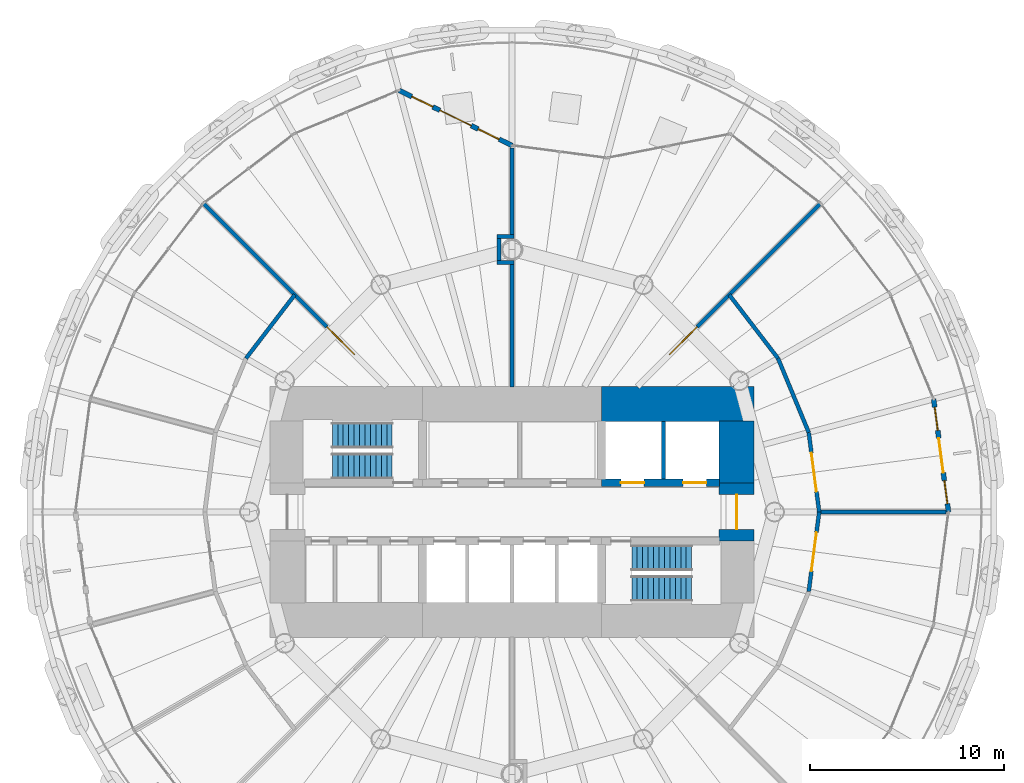
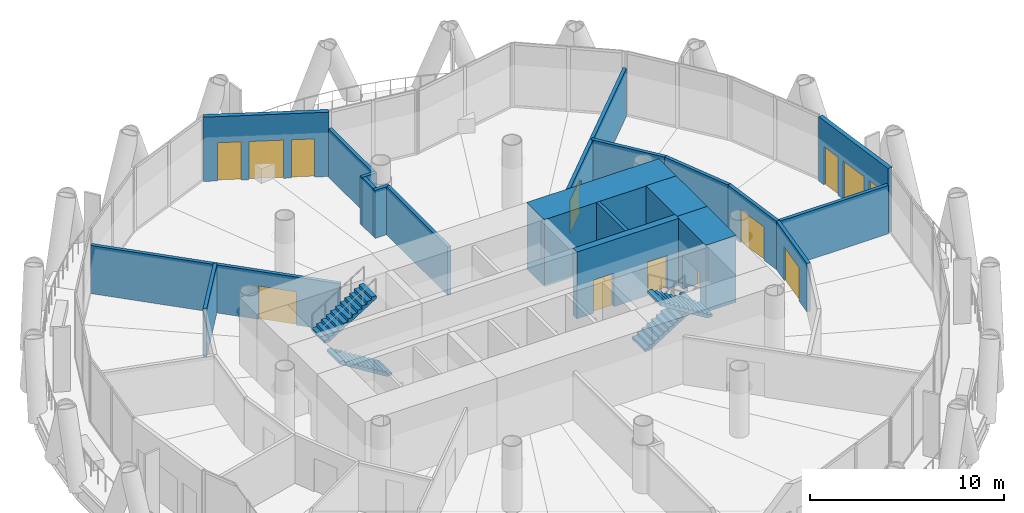
# One storey, part 11 of 15: 20 walls, 9 doors, 4 stair flights, 4 windows, 13 openings, 2 elements without a shape of their own.
"""IFC4 building model written with IfcOpenShell, lengths in metres."""

from ifc_helpers import new_model, si_unit, direction, frame, frame_2d, origin, place, context, subcontext, project, spatial, polyline, rectangle, outline, extrude, material, layer, layer_set, type_object, element, fill, aggregate, save


model = new_model("IFC4")

# Units and contexts
model_context = context("Model", 3, precision=1e-05, world=origin(), true_north=direction((0.0, 1.0)))
body_context = subcontext(model_context, "Body", "Model", "MODEL_VIEW")
ifc_project = project(units=[si_unit("LENGTHUNIT", "METRE"), si_unit("AREAUNIT", "SQUARE_METRE"), si_unit("VOLUMEUNIT", "CUBIC_METRE"), si_unit("PLANEANGLEUNIT", "RADIAN"), si_unit("MASSUNIT", "GRAM", prefix="KILO")], contexts=[model_context])

# Site, building, storey
site_placement = place(None, origin())
site = spatial("IfcSite", under=ifc_project, at=site_placement, CompositionType="ELEMENT")
building_placement = place(site_placement, origin())
building = spatial("IfcBuilding", under=site, at=building_placement, Name="Qaws Media Tower", CompositionType="ELEMENT")
storey_placement = place(building_placement, frame((0.0, 0.0, 147.800048828125)))
storey = spatial("IfcBuildingStorey", under=building, at=storey_placement, Name="L33", CompositionType="ELEMENT", Elevation=147.800048828125)

# Wall, openings, door, windows
ifc_material_1 = material(Name="Precast concrete, exposed finish", Category="concrete")
ifc_layer_1 = layer(ifc_material_1, 0.25)
ifc_layer_set_1 = layer_set([ifc_layer_1], Name="Balcony door wall 250")
wall_type_1 = type_object("IfcWallType", Name="Balcony door wall 250", PredefinedType="SOLIDWALL", material=ifc_layer_set_1)
wall_1_placement = place(storey_placement, frame((82.449951171875, 50.0, 0.0), z_axis=(0.0, 0.0, 1.0), x_axis=(-0.130512702292, 0.991446637263, 0.0)))
wall_1 = element("IfcWall", 1, at=wall_1_placement, inside=storey, type_object=wall_type_1, Name="W197 EW1 balcony door wall L33-01", PredefinedType="SOLIDWALL", context=body_context, shape_type="SweptSolid", body=[
    extrude(rectangle(XDim=5.860595703125, YDim=0.25, at=frame_2d((2.93017578125, 0.0))), origin(), (0.0, 0.0, 1.0), 4.0400390625),
])
opening_1_placement = place(wall_1_placement, frame((2.0302734375, 0.0, 0.0)))
opening_1 = element("IfcOpeningElement", 2, at=opening_1_placement, cuts=wall_1, Name="Opening D7", PredefinedType="OPENING", context=body_context, shape_type="SweptSolid", body=[
    extrude(rectangle(XDim=1.800048828125, YDim=2.39990234375, at=frame_2d((0.89990234375, 1.199951171875))), frame((0.0, 0.135009765625, 0.0), z_axis=(0.0, -1.0, 0.0), x_axis=(1.0, 0.0, 0.0)), (0.0, 0.0, 1.0), 0.27001953125),
])
opening_2_placement = place(wall_1_placement, frame((0.430419921875, 0.0, 0.0)))
opening_2 = element("IfcOpeningElement", 3, at=opening_2_placement, cuts=wall_1, Name="Opening W1", PredefinedType="OPENING", context=body_context, shape_type="SweptSolid", body=[
    extrude(rectangle(XDim=1.199951171875, YDim=2.39990234375, at=frame_2d((0.60009765625, 1.199951171875))), frame((0.0, 0.135009765625, 0.0), z_axis=(0.0, -1.0, 0.0), x_axis=(1.0, 0.0, 0.0)), (0.0, 0.0, 1.0), 0.27001953125),
])
opening_3_placement = place(wall_1_placement, frame((4.230224609375, 0.0, 0.0)))
opening_3 = element("IfcOpeningElement", 4, at=opening_3_placement, cuts=wall_1, Name="Opening W1", PredefinedType="OPENING", context=body_context, shape_type="SweptSolid", body=[
    extrude(rectangle(XDim=1.199951171875, YDim=2.39990234375, at=frame_2d((0.60009765625, 1.199951171875))), frame((0.0, 0.135009765625, 0.0), z_axis=(0.0, -1.0, 0.0), x_axis=(1.0, 0.0, 0.0)), (0.0, 0.0, 1.0), 0.27001953125),
])
ifc_material_2 = material(Name="Aluminium and clear glass", Category="aluminium")
door_type_1 = type_object("IfcDoorType", Name="Balcony door pair 1800", OperationType="DOUBLE_DOOR_SLIDING", PredefinedType="DOOR", material=ifc_material_2)
door_1_placement = place(opening_1_placement, origin())
door_1 = element("IfcDoor", 5, at=door_1_placement, inside=storey, type_object=door_type_1, Name="D7 balcony door L33-01 in wall W197", OperationType="DOUBLE_DOOR_SLIDING", OverallHeight=2.39990234375, OverallWidth=1.800048828125, PredefinedType="DOOR", context=body_context, shape_type="SweptSolid", body=[
    extrude(rectangle(XDim=1.800048828125, YDim=2.39990234375, at=frame_2d((0.89990234375, 1.199951171875))), frame((0.0, 0.02490234375, 0.0), z_axis=(0.0, -1.0, 0.0), x_axis=(1.0, 0.0, 0.0)), (0.0, 0.0, 1.0), 0.050048828125),
])
fill(opening_1, door_1)
ifc_material_3 = material(Name="Aluminium and clear glass", Category="aluminium")
window_type = type_object("IfcWindowType", Name="Balcony side window 1200", PartitioningType="SINGLE_PANEL", PredefinedType="WINDOW", material=ifc_material_3)
window_1_placement = place(opening_2_placement, origin())
window_1 = element("IfcWindow", 6, at=window_1_placement, inside=storey, type_object=window_type, Name="W1 balcony side light L33-01L", OverallHeight=2.39990234375, OverallWidth=1.199951171875, PartitioningType="SINGLE_PANEL", PredefinedType="WINDOW", context=body_context, shape_type="SweptSolid", body=[
    extrude(rectangle(XDim=1.199951171875, YDim=2.39990234375, at=frame_2d((0.60009765625, 1.199951171875))), frame((0.0, 0.030029296875, 0.0), z_axis=(0.0, -1.0, 0.0), x_axis=(1.0, 0.0, 0.0)), (0.0, 0.0, 1.0), 0.06005859375),
])
fill(opening_2, window_1)
window_2_placement = place(opening_3_placement, origin())
window_2 = element("IfcWindow", 7, at=window_2_placement, inside=storey, type_object=window_type, Name="W1 balcony side light L33-01R", OverallHeight=2.39990234375, OverallWidth=1.199951171875, PartitioningType="SINGLE_PANEL", PredefinedType="WINDOW", context=body_context, shape_type="SweptSolid", body=[
    extrude(rectangle(XDim=1.199951171875, YDim=2.39990234375, at=frame_2d((0.60009765625, 1.199951171875))), frame((0.0, 0.030029296875, 0.0), z_axis=(0.0, -1.0, 0.0), x_axis=(1.0, 0.0, 0.0)), (0.0, 0.0, 1.0), 0.06005859375),
])
fill(opening_3, window_2)

wall_2_placement = place(storey_placement, frame((60.0, 68.85009765625, 0.0), z_axis=(0.0, 0.0, 1.0), x_axis=(-0.898735054264, 0.438492077736, 0.0)))
wall_2 = element("IfcWall", 8, at=wall_2_placement, inside=storey, type_object=wall_type_1, Name="W196 EW1 balcony door wall L33-07", PredefinedType="SOLIDWALL", context=body_context, shape_type="SweptSolid", body=[
    extrude(rectangle(XDim=6.46533203125, YDim=0.25, at=frame_2d((3.232666015625, 0.0))), origin(), (0.0, 0.0, 1.0), 4.0400390625),
])
opening_4_placement = place(wall_2_placement, frame((2.33251953125, 0.0, 0.0)))
opening_4 = element("IfcOpeningElement", 9, at=opening_4_placement, cuts=wall_2, Name="Opening D7", PredefinedType="OPENING", context=body_context, shape_type="SweptSolid", body=[
    extrude(rectangle(XDim=1.800048828125, YDim=2.39990234375, at=frame_2d((0.89990234375, 1.199951171875))), frame((0.0, 0.135009765625, 0.0), z_axis=(0.0, -1.0, 0.0), x_axis=(1.0, 0.0, 0.0)), (0.0, 0.0, 1.0), 0.27001953125),
])
opening_5_placement = place(wall_2_placement, frame((0.732666015625, 0.0, 0.0)))
opening_5 = element("IfcOpeningElement", 10, at=opening_5_placement, cuts=wall_2, Name="Opening W1", PredefinedType="OPENING", context=body_context, shape_type="SweptSolid", body=[
    extrude(rectangle(XDim=1.199951171875, YDim=2.39990234375, at=frame_2d((0.60009765625, 1.199951171875))), frame((0.0, 0.135009765625, 0.0), z_axis=(0.0, -1.0, 0.0), x_axis=(1.0, 0.0, 0.0)), (0.0, 0.0, 1.0), 0.27001953125),
])
opening_6_placement = place(wall_2_placement, frame((4.53271484375, 0.0, 0.0)))
opening_6 = element("IfcOpeningElement", 11, at=opening_6_placement, cuts=wall_2, Name="Opening W1", PredefinedType="OPENING", context=body_context, shape_type="SweptSolid", body=[
    extrude(rectangle(XDim=1.199951171875, YDim=2.39990234375, at=frame_2d((0.60009765625, 1.199951171875))), frame((0.0, 0.135009765625, 0.0), z_axis=(0.0, -1.0, 0.0), x_axis=(1.0, 0.0, 0.0)), (0.0, 0.0, 1.0), 0.27001953125),
])
door_2_placement = place(opening_4_placement, origin())
door_2 = element("IfcDoor", 12, at=door_2_placement, inside=storey, type_object=door_type_1, Name="D7 balcony door L33-07 in wall W196", OperationType="DOUBLE_DOOR_SLIDING", OverallHeight=2.39990234375, OverallWidth=1.800048828125, PredefinedType="DOOR", context=body_context, shape_type="SweptSolid", body=[
    extrude(rectangle(XDim=1.800048828125, YDim=2.39990234375, at=frame_2d((0.89990234375, 1.199951171875))), frame((0.0, 0.02490234375, 0.0), z_axis=(0.0, -1.0, 0.0), x_axis=(1.0, 0.0, 0.0)), (0.0, 0.0, 1.0), 0.050048828125),
])
fill(opening_4, door_2)
window_3_placement = place(opening_5_placement, origin())
window_3 = element("IfcWindow", 13, at=window_3_placement, inside=storey, type_object=window_type, Name="W1 balcony side light L33-07L", OverallHeight=2.39990234375, OverallWidth=1.199951171875, PartitioningType="SINGLE_PANEL", PredefinedType="WINDOW", context=body_context, shape_type="SweptSolid", body=[
    extrude(rectangle(XDim=1.199951171875, YDim=2.39990234375, at=frame_2d((0.60009765625, 1.199951171875))), frame((0.0, 0.030029296875, 0.0), z_axis=(0.0, -1.0, 0.0), x_axis=(1.0, 0.0, 0.0)), (0.0, 0.0, 1.0), 0.06005859375),
])
fill(opening_5, window_3)
window_4_placement = place(opening_6_placement, origin())
window_4 = element("IfcWindow", 14, at=window_4_placement, inside=storey, type_object=window_type, Name="W1 balcony side light L33-07R", OverallHeight=2.39990234375, OverallWidth=1.199951171875, PartitioningType="SINGLE_PANEL", PredefinedType="WINDOW", context=body_context, shape_type="SweptSolid", body=[
    extrude(rectangle(XDim=1.199951171875, YDim=2.39990234375, at=frame_2d((0.60009765625, 1.199951171875))), frame((0.0, 0.030029296875, 0.0), z_axis=(0.0, -1.0, 0.0), x_axis=(1.0, 0.0, 0.0)), (0.0, 0.0, 1.0), 0.06005859375),
])
fill(opening_6, window_4)

# Wall, openings, doors
ifc_material_4 = material(Name="Concrete C60/75", Category="concrete")
ifc_layer_2 = layer(ifc_material_4, 0.39990234375)
ifc_layer_set_2 = layer_set([ifc_layer_2], Name="Core inner wall 400")
wall_type_2 = type_object("IfcWallType", Name="Core inner wall 400", PredefinedType="SHEAR", material=ifc_layer_set_2)
wall_3_placement = place(storey_placement, frame((64.60009765625, 51.5, 0.0), z_axis=(0.0, 0.0, 1.0), x_axis=(1.0, 0.0, 0.0)))
wall_3 = element("IfcWall", 15, at=wall_3_placement, inside=storey, type_object=wall_type_2, Name="W326 SW4 core wall SPNE L33", PredefinedType="SHEAR", context=body_context, shape_type="SweptSolid", body=[
    extrude(rectangle(XDim=6.06982421875, YDim=0.39990234375, at=frame_2d((3.034912109375, 0.0))), origin(), (0.0, 0.0, 1.0), 4.199951171875),
])
opening_7_placement = place(wall_3_placement, frame((1.0, 0.0, 0.0)))
opening_7 = element("IfcOpeningElement", 16, at=opening_7_placement, cuts=wall_3, Name="Opening LD2", PredefinedType="OPENING", context=body_context, shape_type="SweptSolid", body=[
    extrude(rectangle(XDim=1.199951171875, YDim=2.10009765625, at=frame_2d((0.60009765625, 1.050048828125))), frame((0.0, 0.2099609375, 0.0), z_axis=(0.0, -1.0, 0.0), x_axis=(1.0, 0.0, 0.0)), (0.0, 0.0, 1.0), 0.419921875),
])
opening_8_placement = place(wall_3_placement, frame((4.199951171875, 0.0, 0.0)))
opening_8 = element("IfcOpeningElement", 17, at=opening_8_placement, cuts=wall_3, Name="Opening LD2", PredefinedType="OPENING", context=body_context, shape_type="SweptSolid", body=[
    extrude(rectangle(XDim=1.199951171875, YDim=2.10009765625, at=frame_2d((0.60009765625, 1.050048828125))), frame((0.0, 0.2099609375, 0.0), z_axis=(0.0, -1.0, 0.0), x_axis=(1.0, 0.0, 0.0)), (0.0, 0.0, 1.0), 0.419921875),
])
ifc_material_5 = material(Name="Steel, fire rated", Category="steel")
door_type_2 = type_object("IfcDoorType", Name="Lift landing door 1200", OperationType="SLIDING_TO_LEFT", PredefinedType="DOOR", material=ifc_material_5)
door_3_placement = place(opening_7_placement, origin())
door_3 = element("IfcDoor", 18, at=door_3_placement, inside=storey, type_object=door_type_2, Name="FL1 landing door L33 in wall W326", OperationType="SLIDING_TO_LEFT", OverallHeight=2.10009765625, OverallWidth=1.199951171875, PredefinedType="DOOR", context=body_context, shape_type="SweptSolid", body=[
    extrude(rectangle(XDim=1.199951171875, YDim=2.10009765625, at=frame_2d((0.60009765625, 1.050048828125))), frame((0.0, 0.02490234375, 0.0), z_axis=(0.0, -1.0, 0.0), x_axis=(1.0, 0.0, 0.0)), (0.0, 0.0, 1.0), 0.050048828125),
])
fill(opening_7, door_3)
door_4_placement = place(opening_8_placement, origin())
door_4 = element("IfcDoor", 19, at=door_4_placement, inside=storey, type_object=door_type_2, Name="FL2 landing door L33 in wall W326", OperationType="SLIDING_TO_LEFT", OverallHeight=2.10009765625, OverallWidth=1.199951171875, PredefinedType="DOOR", context=body_context, shape_type="SweptSolid", body=[
    extrude(rectangle(XDim=1.199951171875, YDim=2.10009765625, at=frame_2d((0.60009765625, 1.050048828125))), frame((0.0, 0.02490234375, 0.0), z_axis=(0.0, -1.0, 0.0), x_axis=(1.0, 0.0, 0.0)), (0.0, 0.0, 1.0), 0.050048828125),
])
fill(opening_8, door_4)

# Wall
ifc_material_6 = material(Name="Concrete C60/75", Category="concrete")
ifc_layer_3 = layer(ifc_material_6, 1.800048828125)
ifc_layer_set_3 = layer_set([ifc_layer_3], Name="Core wall 1800")
wall_type_3 = type_object("IfcWallType", Name="Core wall 1800", PredefinedType="SHEAR", material=ifc_layer_set_3)
wall_4_placement = place(storey_placement, frame((64.60009765625, 55.550048828125, 0.0), z_axis=(0.0, 0.0, 1.0), x_axis=(1.0, 0.0, 0.0)))
element("IfcWall", 20, at=wall_4_placement, inside=storey, type_object=wall_type_3, Name="W423 SW11 core wall NE L33", PredefinedType="SHEAR", context=body_context, shape_type="SweptSolid", body=[
    extrude(rectangle(XDim=7.849853515625, YDim=1.800048828125, at=frame_2d((3.9248046875, 0.0))), origin(), (0.0, 0.0, 1.0), 4.199951171875),
])

# Wall, opening, door
wall_5_placement = place(storey_placement, frame((71.550048828125, 48.5, 0.0), z_axis=(0.0, 0.0, 1.0), x_axis=(0.0, 1.0, 0.0)))
wall_5 = element("IfcWall", 21, at=wall_5_placement, inside=storey, type_object=wall_type_3, Name="W427 SW11 core wall E L33", PredefinedType="SHEAR", context=body_context, shape_type="SweptSolid", body=[
    extrude(rectangle(XDim=3.0, YDim=1.800048828125, at=frame_2d((1.5, 0.0))), origin(), (0.0, 0.0, 1.0), 4.199951171875),
])
opening_9_placement = place(wall_5_placement, frame((0.60009765625, 0.0, 0.0)))
opening_9 = element("IfcOpeningElement", 22, at=opening_9_placement, cuts=wall_5, Name="Opening D2", PredefinedType="OPENING", context=body_context, shape_type="SweptSolid", body=[
    extrude(rectangle(XDim=1.800048828125, YDim=2.10009765625, at=frame_2d((0.89990234375, 1.050048828125))), frame((0.0, 0.909912109375, 0.0), z_axis=(0.0, -1.0, 0.0), x_axis=(1.0, 0.0, 0.0)), (0.0, 0.0, 1.0), 1.820068359375),
])
ifc_material_7 = material(Name="Steel and glass, fire rated", Category="steel")
door_type_3 = type_object("IfcDoorType", Name="Lobby door pair 1800 FD60", OperationType="DOUBLE_DOOR_DOUBLE_SWING", PredefinedType="DOOR", material=ifc_material_7)
door_5_placement = place(opening_9_placement, origin())
door_5 = element("IfcDoor", 23, at=door_5_placement, inside=storey, type_object=door_type_3, Name="D2 core lobby door E L33 in wall W427", OperationType="DOUBLE_DOOR_DOUBLE_SWING", OverallHeight=2.10009765625, OverallWidth=1.800048828125, PredefinedType="DOOR", context=body_context, shape_type="SweptSolid", body=[
    extrude(rectangle(XDim=1.800048828125, YDim=2.10009765625, at=frame_2d((0.89990234375, 1.050048828125))), frame((0.0, 0.02490234375, 0.0), z_axis=(0.0, -1.0, 0.0), x_axis=(1.0, 0.0, 0.0)), (0.0, 0.0, 1.0), 0.050048828125),
])
fill(opening_9, door_5)

# Walls
wall_6_placement = place(storey_placement, frame((71.550048828125, 51.5, 0.0), z_axis=(0.0, 0.0, 1.0), x_axis=(0.0, 1.0, 0.0)))
element("IfcWall", 24, at=wall_6_placement, inside=storey, type_object=wall_type_3, Name="W425 SW11 core wall EN L33", PredefinedType="SHEAR", context=body_context, shape_type="SweptSolid", body=[
    extrude(rectangle(XDim=3.169921875, YDim=1.800048828125, at=frame_2d((1.5849609375, 0.0))), origin(), (0.0, 0.0, 1.0), 4.199951171875),
])
ifc_material_8 = material(Name="Gypsum board on galvanised metal studs, acoustic double stud, deflection head", Category="gypsum")
ifc_layer_4 = layer(ifc_material_8, 0.199951171875)
ifc_layer_set_4 = layer_set([ifc_layer_4], Name="Room partition 200")
wall_type_4 = type_object("IfcWallType", Name="Room partition 200", PredefinedType="PARTITIONING", material=ifc_layer_set_4)
for number, where, z_axis, x_axis, name in (
    (25, (46.31689453125, 57.89990234375, 0.0), (0.0, 0.0, 1.0), (0.608714823874, 0.793389099494, 0.0), "W947 IW3 partition L33"),
    (26, (71.17236328125, 61.17236328125, 0.0), (0.0, 0.0, 1.0), (0.608714823874, -0.793389099494, 0.0), "W953 IW3 partition L33"),
):
    element("IfcWall", number, at=place(storey_placement, frame(where, z_axis=z_axis, x_axis=x_axis)), inside=storey, type_object=wall_type_4, Name=name, PredefinedType="PARTITIONING", context=body_context, shape_type="SweptSolid", body=[
        extrude(rectangle(XDim=4.124755859375, YDim=0.199951171875, at=frame_2d((2.0625, 0.0))), origin(), (0.0, 0.0, 1.0), 3.0400390625),
    ])
wall_7_placement = place(storey_placement, frame((73.68310546875, 57.89990234375, 0.0), z_axis=(0.0, 0.0, 1.0), x_axis=(0.382731667114, -0.923859551549, 0.0)))
element("IfcWall", 27, at=wall_7_placement, inside=storey, type_object=wall_type_4, Name="W956 IW3 partition L33", PredefinedType="PARTITIONING", context=body_context, shape_type="SweptSolid", body=[
    extrude(rectangle(XDim=4.12451171875, YDim=0.199951171875, at=frame_2d((2.062255859375, 0.0))), origin(), (0.0, 0.0, 1.0), 3.0400390625),
])

# Wall, opening, door
wall_8_placement = place(storey_placement, frame((75.26171875, 54.08935546875, 0.0), z_axis=(0.0, 0.0, 1.0), x_axis=(0.130515758099, -0.991446234996, 0.0)))
wall_8 = element("IfcWall", 28, at=wall_8_placement, inside=storey, type_object=wall_type_4, Name="W958 IW3 partition L33", PredefinedType="PARTITIONING", context=body_context, shape_type="SweptSolid", body=[
    extrude(rectangle(XDim=4.124755859375, YDim=0.199951171875, at=frame_2d((2.0625, 0.0))), origin(), (0.0, 0.0, 1.0), 3.0400390625),
])
opening_10_placement = place(wall_8_placement, frame((1.062255859375, 0.0, 0.0)))
opening_10 = element("IfcOpeningElement", 29, at=opening_10_placement, cuts=wall_8, Name="Opening D6", PredefinedType="OPENING", context=body_context, shape_type="SweptSolid", body=[
    extrude(rectangle(XDim=2.0, YDim=2.10009765625, at=frame_2d((1.0, 1.050048828125))), frame((0.0, 0.10986328125, 0.0), z_axis=(0.0, -1.0, 0.0), x_axis=(1.0, 0.0, 0.0)), (0.0, 0.0, 1.0), 0.219970703125),
])
ifc_material_9 = material(Name="Steel, acoustic, fire rated", Category="steel")
door_type_4 = type_object("IfcDoorType", Name="Room door pair 2000", OperationType="DOUBLE_DOOR_DOUBLE_SWING", PredefinedType="DOOR", material=ifc_material_9)
door_6_placement = place(opening_10_placement, origin())
door_6 = element("IfcDoor", 30, at=door_6_placement, inside=storey, type_object=door_type_4, Name="D6 IT office door L33 in wall W958", OperationType="DOUBLE_DOOR_DOUBLE_SWING", OverallHeight=2.10009765625, OverallWidth=2.0, PredefinedType="DOOR", context=body_context, shape_type="SweptSolid", body=[
    extrude(rectangle(XDim=2.0, YDim=2.10009765625, at=frame_2d((1.0, 1.050048828125))), frame((0.0, 0.02490234375, 0.0), z_axis=(0.0, -1.0, 0.0), x_axis=(1.0, 0.0, 0.0)), (0.0, 0.0, 1.0), 0.050048828125),
])
fill(opening_10, door_6)

wall_9_placement = place(storey_placement, frame((75.800048828125, 50.0, 0.0), z_axis=(0.0, 0.0, 1.0), x_axis=(-0.130515758099, -0.991446234996, 0.0)))
wall_9 = element("IfcWall", 31, at=wall_9_placement, inside=storey, type_object=wall_type_4, Name="W959 IW3 partition L33", PredefinedType="PARTITIONING", context=body_context, shape_type="SweptSolid", body=[
    extrude(rectangle(XDim=4.124755859375, YDim=0.199951171875, at=frame_2d((2.0625, 0.0))), origin(), (0.0, 0.0, 1.0), 3.0400390625),
])
opening_11_placement = place(wall_9_placement, frame((1.062255859375, 0.0, 0.0)))
opening_11 = element("IfcOpeningElement", 32, at=opening_11_placement, cuts=wall_9, Name="Opening D6", PredefinedType="OPENING", context=body_context, shape_type="SweptSolid", body=[
    extrude(rectangle(XDim=2.0, YDim=2.10009765625, at=frame_2d((1.0, 1.050048828125))), frame((0.0, 0.10986328125, 0.0), z_axis=(0.0, -1.0, 0.0), x_axis=(1.0, 0.0, 0.0)), (0.0, 0.0, 1.0), 0.219970703125),
])
door_7_placement = place(opening_11_placement, origin())
door_7 = element("IfcDoor", 33, at=door_7_placement, inside=storey, type_object=door_type_4, Name="D6 IT service office door L33 in wall W959", OperationType="DOUBLE_DOOR_DOUBLE_SWING", OverallHeight=2.10009765625, OverallWidth=2.0, PredefinedType="DOOR", context=body_context, shape_type="SweptSolid", body=[
    extrude(rectangle(XDim=2.0, YDim=2.10009765625, at=frame_2d((1.0, 1.050048828125))), frame((0.0, 0.02490234375, 0.0), z_axis=(0.0, -1.0, 0.0), x_axis=(1.0, 0.0, 0.0)), (0.0, 0.0, 1.0), 0.050048828125),
])
fill(opening_11, door_7)

# Wall
wall_10_placement = place(storey_placement, frame((75.800048828125, 50.0, 0.0), z_axis=(0.0, 0.0, 1.0), x_axis=(1.0, 0.0, 0.0)))
element("IfcWall", 34, at=wall_10_placement, inside=storey, type_object=wall_type_4, Name="W1325 IW3 partition L33", PredefinedType="PARTITIONING", context=body_context, shape_type="SweptSolid", body=[
    extrude(rectangle(XDim=6.510009765625, YDim=0.199951171875, at=frame_2d((3.2548828125, 0.0))), origin(), (0.0, 0.0, 1.0), 3.0400390625),
])

# Wall, opening, door
wall_11_placement = place(storey_placement, frame((66.449951171875, 56.449951171875, 0.0), z_axis=(0.0, 0.0, 1.0), x_axis=(0.707106781187, 0.707106781187, 0.0)))
wall_11 = element("IfcWall", 35, at=wall_11_placement, inside=storey, type_object=wall_type_4, Name="W1324 IW3 partition L33", PredefinedType="PARTITIONING", context=body_context, shape_type="SweptSolid", body=[
    extrude(rectangle(XDim=13.288330078125, YDim=0.199951171875, at=frame_2d((6.64404296875, 0.0))), origin(), (0.0, 0.0, 1.0), 3.02001953125),
])
opening_12_placement = place(wall_11_placement, frame((2.339111328125, 0.0, 0.0)))
opening_12 = element("IfcOpeningElement", 36, at=opening_12_placement, cuts=wall_11, Name="Opening D6", PredefinedType="OPENING", context=body_context, shape_type="SweptSolid", body=[
    extrude(rectangle(XDim=2.0, YDim=2.10009765625, at=frame_2d((1.0, 1.050048828125))), frame((0.0, 0.10986328125, 0.0), z_axis=(0.0, -1.0, 0.0), x_axis=(1.0, 0.0, 0.0)), (0.0, 0.0, 1.0), 0.219970703125),
])
door_8_placement = place(opening_12_placement, origin())
door_8 = element("IfcDoor", 37, at=door_8_placement, inside=storey, type_object=door_type_4, Name="D6 IT open office door L33 in wall W1324", OperationType="DOUBLE_DOOR_DOUBLE_SWING", OverallHeight=2.10009765625, OverallWidth=2.0, PredefinedType="DOOR", context=body_context, shape_type="SweptSolid", body=[
    extrude(rectangle(XDim=2.0, YDim=2.10009765625, at=frame_2d((1.0, 1.050048828125))), frame((0.0, 0.02490234375, 0.0), z_axis=(0.0, -1.0, 0.0), x_axis=(1.0, 0.0, 0.0)), (0.0, 0.0, 1.0), 0.050048828125),
])
fill(opening_12, door_8)

# Walls
for number, where, z_axis, x_axis, name in (
    (38, (60.10009765625, 62.83203125, 0.0), (0.0, 0.0, 1.0), (-1.0, 0.0, 0.0), "W1320 IW3 partition return L33"),
    (39, (60.10009765625, 64.16796875, 0.0), (0.0, 0.0, 1.0), (-1.0, 0.0, 0.0), "W1321 IW3 partition return L33"),
):
    element("IfcWall", number, at=place(storey_placement, frame(where, z_axis=z_axis, x_axis=x_axis)), inside=storey, type_object=wall_type_4, Name=name, PredefinedType="PARTITIONING", context=body_context, shape_type="SweptSolid", body=[
        extrude(rectangle(XDim=0.878173828125, YDim=0.199951171875, at=frame_2d((0.43896484375, 0.0))), origin(), (0.0, 0.0, 1.0), 3.02001953125),
    ])
wall_12_placement = place(storey_placement, frame((59.322021484375, 62.931884765625, 0.0), z_axis=(0.0, 0.0, 1.0), x_axis=(0.0, 1.0, 0.0)))
element("IfcWall", 40, at=wall_12_placement, inside=storey, type_object=wall_type_4, Name="W1316 IW3 partition return L33", PredefinedType="PARTITIONING", context=body_context, shape_type="SweptSolid", body=[
    extrude(rectangle(XDim=1.13623046875, YDim=0.199951171875, at=frame_2d((0.568115234375, 0.0))), origin(), (0.0, 0.0, 1.0), 3.02001953125),
])
wall_13_placement = place(storey_placement, frame((60.0, 56.43994140625, 0.0), z_axis=(0.0, 0.0, 1.0), x_axis=(0.0, 1.0, 0.0)))
element("IfcWall", 41, at=wall_13_placement, inside=storey, type_object=wall_type_4, Name="W1318 IW3 partition L33", PredefinedType="PARTITIONING", context=body_context, shape_type="SweptSolid", body=[
    extrude(rectangle(XDim=6.2919921875, YDim=0.199951171875, at=frame_2d((3.14599609375, 0.0))), origin(), (0.0, 0.0, 1.0), 3.0400390625),
])
wall_14_placement = place(storey_placement, frame((60.0, 64.26806640625, 0.0), z_axis=(0.0, 0.0, 1.0), x_axis=(0.0, 1.0, 0.0)))
element("IfcWall", 42, at=wall_14_placement, inside=storey, type_object=wall_type_4, Name="W1319 IW3 partition L33", PredefinedType="PARTITIONING", context=body_context, shape_type="SweptSolid", body=[
    extrude(rectangle(XDim=4.44189453125, YDim=0.199951171875, at=frame_2d((2.220947265625, 0.0))), origin(), (0.0, 0.0, 1.0), 3.0400390625),
])

# Wall, opening, door
wall_15_placement = place(storey_placement, frame((53.550048828125, 56.449951171875, 0.0), z_axis=(0.0, 0.0, 1.0), x_axis=(-0.707106781187, 0.707106781187, 0.0)))
wall_15 = element("IfcWall", 43, at=wall_15_placement, inside=storey, type_object=wall_type_4, Name="W1315 IW3 partition L33", PredefinedType="PARTITIONING", context=body_context, shape_type="SweptSolid", body=[
    extrude(rectangle(XDim=13.288330078125, YDim=0.199951171875, at=frame_2d((6.64404296875, 0.0))), origin(), (0.0, 0.0, 1.0), 3.02001953125),
])
opening_13_placement = place(wall_15_placement, frame((2.339111328125, 0.0, 0.0)))
opening_13 = element("IfcOpeningElement", 44, at=opening_13_placement, cuts=wall_15, Name="Opening D6", PredefinedType="OPENING", context=body_context, shape_type="SweptSolid", body=[
    extrude(rectangle(XDim=2.0, YDim=2.10009765625, at=frame_2d((1.0, 1.050048828125))), frame((0.0, 0.10986328125, 0.0), z_axis=(0.0, -1.0, 0.0), x_axis=(1.0, 0.0, 0.0)), (0.0, 0.0, 1.0), 0.219970703125),
])
door_9_placement = place(opening_13_placement, origin())
door_9 = element("IfcDoor", 45, at=door_9_placement, inside=storey, type_object=door_type_4, Name="D6 Network operations room door L33 in wall W1315", OperationType="DOUBLE_DOOR_DOUBLE_SWING", OverallHeight=2.10009765625, OverallWidth=2.0, PredefinedType="DOOR", context=body_context, shape_type="SweptSolid", body=[
    extrude(rectangle(XDim=2.0, YDim=2.10009765625, at=frame_2d((1.0, 1.050048828125))), frame((0.0, 0.02490234375, 0.0), z_axis=(0.0, -1.0, 0.0), x_axis=(1.0, 0.0, 0.0)), (0.0, 0.0, 1.0), 0.050048828125),
])
fill(opening_13, door_9)

# Wall
ifc_material_10 = material(Name="Fire-rated gypsum board shaft wall on galvanised metal studs, deflection head", Category="gypsum")
ifc_layer_5 = layer(ifc_material_10, 0.199951171875)
ifc_layer_set_5 = layer_set([ifc_layer_5], Name="Shaft wall 200")
wall_type_5 = type_object("IfcWallType", Name="Shaft wall 200", PredefinedType="PARTITIONING", material=ifc_layer_set_5)
wall_16_placement = place(storey_placement, frame((67.800048828125, 51.699951171875, 0.0), z_axis=(0.0, 0.0, 1.0), x_axis=(0.0, 1.0, 0.0)))
element("IfcWall", 46, at=wall_16_placement, inside=storey, type_object=wall_type_5, Name="W1863 IW1 shaft wall FL L33", PredefinedType="PARTITIONING", context=body_context, shape_type="SweptSolid", body=[
    extrude(rectangle(XDim=2.949951171875, YDim=0.199951171875, at=frame_2d((1.47509765625, 0.0))), origin(), (0.0, 0.0, 1.0), 4.199951171875),
])

# Stair, stair flights
ifc_material_11 = material(Name="Concrete C40/50", Category="concrete")
stair_type = type_object("IfcStairType", Name="Exit stair", PredefinedType="HALF_TURN_STAIR", material=ifc_material_11)
stair_1_placement = place(storey_placement, origin())
stair_1 = element("IfcStair", 47, at=stair_1_placement, inside=storey, type_object=stair_type, Name="S1 exit stair L33", PredefinedType="HALF_TURN_STAIR")
ifc_material_12 = material(Name="Concrete C40/50", Category="concrete")
stair_flight_type = type_object("IfcStairFlightType", Name="Stair flight 1310", PredefinedType="STRAIGHT", material=ifc_material_12)
stair_flight_1_placement = place(storey_placement, frame((53.840087890625, 52.35498046875, 0.0), z_axis=(0.0, 0.0, 1.0), x_axis=(-1.0, 0.0, 0.0)))
stair_flight_1 = element("IfcStairFlight", 48, at=stair_flight_1_placement, type_object=stair_flight_type, Name="S1 flight 1", NumberOfRisers=12, NumberOfTreads=11, PredefinedType="STRAIGHT", RiserHeight=0.175, TreadLength=0.28, context=body_context, shape_type="SweptSolid", body=[
    extrude(outline(polyline([(0.0, 0.0), (0.0, 0.175048828125), (0.280029296875, 0.175048828125), (0.280029296875, 0.35009765625), (0.56005859375, 0.35009765625), (0.56005859375, 0.52490234375), (0.840087890625, 0.52490234375), (0.840087890625, 0.699951171875), (1.1201171875, 0.699951171875), (1.1201171875, 0.875), (1.39990234375, 0.875), (1.39990234375, 1.050048828125), (1.679931640625, 1.050048828125), (1.679931640625, 1.22509765625), (1.9599609375, 1.22509765625), (1.9599609375, 1.39990234375), (2.239990234375, 1.39990234375), (2.239990234375, 1.574951171875), (2.52001953125, 1.574951171875), (2.52001953125, 1.75), (2.800048828125, 1.75), (2.800048828125, 1.925048828125), (3.080078125, 1.925048828125), (3.080078125, 2.10009765625), (3.080078125, 1.748291015625), (0.28271484375, 0.0), (0.0, 0.0)])), frame((0.0, 0.655029296875, 0.0), z_axis=(0.0, -1.0, 0.0), x_axis=(1.0, 0.0, 0.0)), (0.0, 0.0, 1.0), 1.31005859375),
])
stair_flight_2_placement = place(storey_placement, frame((50.760009765625, 53.945068359375, 2.099853515625), z_axis=(0.0, 0.0, 1.0), x_axis=(1.0, 0.0, 0.0)))
stair_flight_2 = element("IfcStairFlight", 49, at=stair_flight_2_placement, type_object=stair_flight_type, Name="S1 flight 2", NumberOfRisers=12, NumberOfTreads=11, PredefinedType="STRAIGHT", RiserHeight=0.175, TreadLength=0.28, context=body_context, shape_type="SweptSolid", body=[
    extrude(outline(polyline([(0.0, 0.0), (0.0, 0.175048828125), (0.280029296875, 0.175048828125), (0.280029296875, 0.35009765625), (0.56005859375, 0.35009765625), (0.56005859375, 0.52490234375), (0.840087890625, 0.52490234375), (0.840087890625, 0.699951171875), (1.1201171875, 0.699951171875), (1.1201171875, 0.875), (1.39990234375, 0.875), (1.39990234375, 1.050048828125), (1.679931640625, 1.050048828125), (1.679931640625, 1.22509765625), (1.9599609375, 1.22509765625), (1.9599609375, 1.39990234375), (2.239990234375, 1.39990234375), (2.239990234375, 1.574951171875), (2.52001953125, 1.574951171875), (2.52001953125, 1.75), (2.800048828125, 1.75), (2.800048828125, 1.925048828125), (3.080078125, 1.925048828125), (3.080078125, 2.10009765625), (3.080078125, 1.748291015625), (0.28271484375, 0.0), (0.0, 0.0)])), frame((0.0, 0.655029296875, 0.0), z_axis=(0.0, -1.0, 0.0), x_axis=(1.0, 0.0, 0.0)), (0.0, 0.0, 1.0), 1.31005859375),
])
aggregate(stair_1, [stair_flight_1, stair_flight_2])

stair_2_placement = place(storey_placement, origin())
stair_2 = element("IfcStair", 50, at=stair_2_placement, inside=storey, type_object=stair_type, Name="S2 exit stair L33", PredefinedType="HALF_TURN_STAIR")
stair_flight_3_placement = place(storey_placement, frame((66.159912109375, 47.64501953125, 0.0), z_axis=(0.0, 0.0, 1.0), x_axis=(1.0, 0.0, 0.0)))
stair_flight_3 = element("IfcStairFlight", 51, at=stair_flight_3_placement, type_object=stair_flight_type, Name="S2 flight 1", NumberOfRisers=12, NumberOfTreads=11, PredefinedType="STRAIGHT", RiserHeight=0.175, TreadLength=0.28, context=body_context, shape_type="SweptSolid", body=[
    extrude(outline(polyline([(0.0, 0.0), (0.0, 0.175048828125), (0.280029296875, 0.175048828125), (0.280029296875, 0.35009765625), (0.56005859375, 0.35009765625), (0.56005859375, 0.52490234375), (0.840087890625, 0.52490234375), (0.840087890625, 0.699951171875), (1.1201171875, 0.699951171875), (1.1201171875, 0.875), (1.39990234375, 0.875), (1.39990234375, 1.050048828125), (1.679931640625, 1.050048828125), (1.679931640625, 1.22509765625), (1.9599609375, 1.22509765625), (1.9599609375, 1.39990234375), (2.239990234375, 1.39990234375), (2.239990234375, 1.574951171875), (2.52001953125, 1.574951171875), (2.52001953125, 1.75), (2.800048828125, 1.75), (2.800048828125, 1.925048828125), (3.080078125, 1.925048828125), (3.080078125, 2.10009765625), (3.080078125, 1.748291015625), (0.28271484375, 0.0), (0.0, 0.0)])), frame((0.0, 0.655029296875, 0.0), z_axis=(0.0, -1.0, 0.0), x_axis=(1.0, 0.0, 0.0)), (0.0, 0.0, 1.0), 1.31005859375),
])
stair_flight_4_placement = place(storey_placement, frame((69.239990234375, 46.054931640625, 2.099853515625), z_axis=(0.0, 0.0, 1.0), x_axis=(-1.0, 0.0, 0.0)))
stair_flight_4 = element("IfcStairFlight", 52, at=stair_flight_4_placement, type_object=stair_flight_type, Name="S2 flight 2", NumberOfRisers=12, NumberOfTreads=11, PredefinedType="STRAIGHT", RiserHeight=0.175, TreadLength=0.28, context=body_context, shape_type="SweptSolid", body=[
    extrude(outline(polyline([(0.0, 0.0), (0.0, 0.175048828125), (0.280029296875, 0.175048828125), (0.280029296875, 0.35009765625), (0.56005859375, 0.35009765625), (0.56005859375, 0.52490234375), (0.840087890625, 0.52490234375), (0.840087890625, 0.699951171875), (1.1201171875, 0.699951171875), (1.1201171875, 0.875), (1.39990234375, 0.875), (1.39990234375, 1.050048828125), (1.679931640625, 1.050048828125), (1.679931640625, 1.22509765625), (1.9599609375, 1.22509765625), (1.9599609375, 1.39990234375), (2.239990234375, 1.39990234375), (2.239990234375, 1.574951171875), (2.52001953125, 1.574951171875), (2.52001953125, 1.75), (2.800048828125, 1.75), (2.800048828125, 1.925048828125), (3.080078125, 1.925048828125), (3.080078125, 2.10009765625), (3.080078125, 1.748291015625), (0.28271484375, 0.0), (0.0, 0.0)])), frame((0.0, 0.655029296875, 0.0), z_axis=(0.0, -1.0, 0.0), x_axis=(1.0, 0.0, 0.0)), (0.0, 0.0, 1.0), 1.31005859375),
])
aggregate(stair_2, [stair_flight_3, stair_flight_4])

save(model, "model.ifc")
